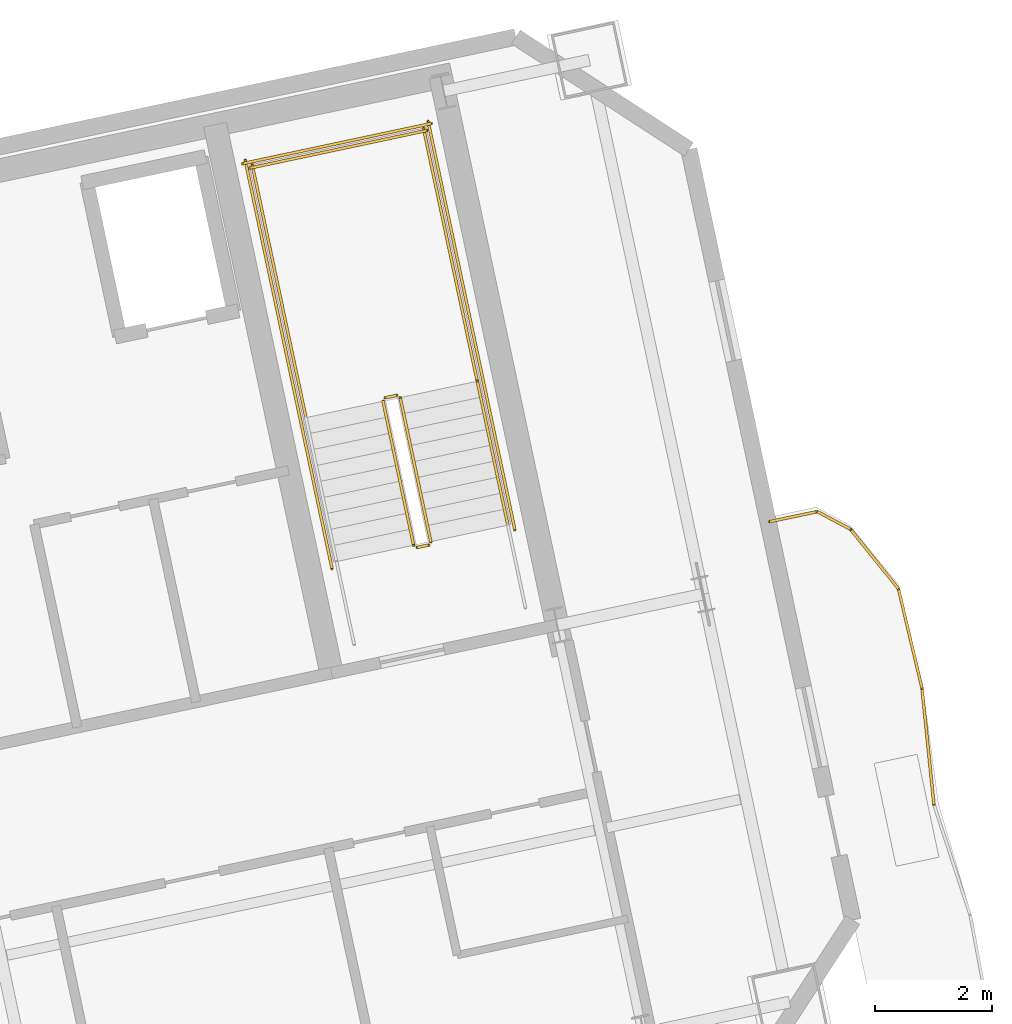
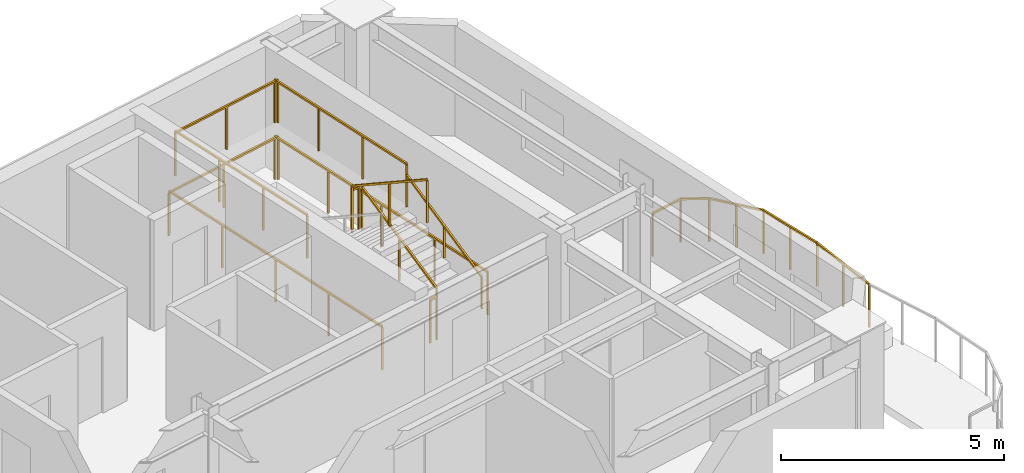
# One storey, part 14 of 14: 16 railings.
"""IFC4 building model written with IfcOpenShell, lengths in metres."""

from ifc_helpers import new_model, si_unit, direction, frame, origin, origin_2d, place, context, subcontext, project, spatial, rectangle, extrude, material, type_object, element, save


model = new_model("IFC4")

# Units and contexts
model_context = context("Model", 3, precision=1e-05, world=origin(), true_north=direction((0.0, 1.0)))
body_context = subcontext(model_context, "Body", "Model", "MODEL_VIEW")
ifc_project = project(units=[si_unit("LENGTHUNIT", "METRE"), si_unit("AREAUNIT", "SQUARE_METRE"), si_unit("VOLUMEUNIT", "CUBIC_METRE"), si_unit("PLANEANGLEUNIT", "RADIAN"), si_unit("MASSUNIT", "GRAM", prefix="KILO")], contexts=[model_context])

# Site, building, storey
site_placement = place(None, origin())
site = spatial("IfcSite", under=ifc_project, at=site_placement, CompositionType="ELEMENT")
building_placement = place(site_placement, origin())
building = spatial("IfcBuilding", under=site, at=building_placement, Name="Haevon Station Towers", CompositionType="ELEMENT")
storey_placement = place(building_placement, frame((0.0, 0.0, 231.89990234375)))
storey = spatial("IfcBuildingStorey", under=building, at=storey_placement, Name="L64", CompositionType="ELEMENT", Elevation=231.89990234375)

# Railings
ifc_material = material(Name="Steel S355", Category="steel")
railing_type_1 = type_object("IfcRailingType", Name="GRD-EXT1200", PredefinedType="GUARDRAIL", material=ifc_material)
railing_1_placement = place(storey_placement, frame((125.744140625, 38.737548828125, 0.0)))
element("IfcRailing", 1, at=railing_1_placement, inside=storey, type_object=railing_type_1, Name="L64 Perimeter Guardrail 6", PredefinedType="GUARDRAIL", context=body_context, shape_type="SweptSolid", body=[
    extrude(rectangle(XDim=0.048095703125, YDim=0.048095703125, at=origin_2d()), frame((0.0, 0.0, 1.17578125), z_axis=(-0.101796856362, 0.994805207081, 0.0), x_axis=(-0.994805207081, -0.101796856362, 0.0)), (0.0, 0.0, 1.0), 2.002685546875),
    extrude(rectangle(XDim=0.0419921875, YDim=0.0419921875, at=origin_2d()), origin(), (0.0, 0.0, 1.0), 1.15185546875),
    extrude(rectangle(XDim=0.0419921875, YDim=0.0419921875, at=origin_2d()), frame((-0.10205078125, 0.99609375, 0.0)), (0.0, 0.0, 1.0), 1.15185546875),
    extrude(rectangle(XDim=0.0419921875, YDim=0.0419921875, at=origin_2d()), frame((-0.203857421875, 1.9921875, 0.0)), (0.0, 0.0, 1.0), 1.15185546875),
])
railing_2_placement = place(storey_placement, frame((125.540283203125, 40.729736328125, 0.0)))
element("IfcRailing", 2, at=railing_2_placement, inside=storey, type_object=railing_type_1, Name="L64 Perimeter Guardrail 7", PredefinedType="GUARDRAIL", context=body_context, shape_type="SweptSolid", body=[
    extrude(rectangle(XDim=0.048095703125, YDim=0.048095703125, at=origin_2d()), frame((0.0, 0.0, 1.17578125), z_axis=(-0.230727231711, 0.973018470815, 0.0), x_axis=(-0.973018470815, -0.230727231711, 0.0)), (0.0, 0.0, 1.0), 1.7490234375),
    extrude(rectangle(XDim=0.0419921875, YDim=0.0419921875, at=origin_2d()), origin(), (0.0, 0.0, 1.0), 1.15185546875),
    extrude(rectangle(XDim=0.0419921875, YDim=0.0419921875, at=origin_2d()), frame((-0.20166015625, 0.85107421875, 0.0)), (0.0, 0.0, 1.0), 1.15185546875),
    extrude(rectangle(XDim=0.0419921875, YDim=0.0419921875, at=origin_2d()), frame((-0.403564453125, 1.701904296875, 0.0)), (0.0, 0.0, 1.0), 1.15185546875),
])
railing_3_placement = place(storey_placement, frame((125.13671875, 42.431640625, 0.0)))
element("IfcRailing", 3, at=railing_3_placement, inside=storey, type_object=railing_type_1, Name="L64 Perimeter Guardrail 8", PredefinedType="GUARDRAIL", context=body_context, shape_type="SweptSolid", body=[
    extrude(rectangle(XDim=0.048095703125, YDim=0.048095703125, at=origin_2d()), frame((0.0, 0.0, 1.17578125), z_axis=(-0.62786890768, 0.778319108572, 0.0), x_axis=(-0.778319108572, -0.62786890768, 0.0)), (0.0, 0.0, 1.0), 1.311279296875),
    extrude(rectangle(XDim=0.0419921875, YDim=0.0419921875, at=origin_2d()), origin(), (0.0, 0.0, 1.0), 1.15185546875),
    extrude(rectangle(XDim=0.0419921875, YDim=0.0419921875, at=origin_2d()), frame((-0.41162109375, 0.51025390625, 0.0)), (0.0, 0.0, 1.0), 1.15185546875),
    extrude(rectangle(XDim=0.0419921875, YDim=0.0419921875, at=origin_2d()), frame((-0.8232421875, 1.0205078125, 0.0)), (0.0, 0.0, 1.0), 1.15185546875),
])
railing_4_placement = place(storey_placement, frame((124.3134765625, 43.4521484375, 0.0)))
element("IfcRailing", 4, at=railing_4_placement, inside=storey, type_object=railing_type_1, Name="L64 Perimeter Guardrail 9", PredefinedType="GUARDRAIL", context=body_context, shape_type="SweptSolid", body=[
    extrude(rectangle(XDim=0.048095703125, YDim=0.048095703125, at=origin_2d()), frame((0.0, 0.0, 1.17578125), z_axis=(-0.883174960407, 0.469043696589, 0.0), x_axis=(-0.469043696589, -0.883174960407, 0.0)), (0.0, 0.0, 1.0), 0.64013671875),
    extrude(rectangle(XDim=0.0419921875, YDim=0.0419921875, at=origin_2d()), origin(), (0.0, 0.0, 1.0), 1.15185546875),
    extrude(rectangle(XDim=0.0419921875, YDim=0.0419921875, at=origin_2d()), frame((-0.5654296875, 0.30029296875, 0.0)), (0.0, 0.0, 1.0), 1.15185546875),
])
railing_5_placement = place(storey_placement, frame((123.748046875, 43.75244140625, 0.0)))
element("IfcRailing", 5, at=railing_5_placement, inside=storey, type_object=railing_type_1, Name="L64 Perimeter Guardrail 10", PredefinedType="GUARDRAIL", context=body_context, shape_type="SweptSolid", body=[
    extrude(rectangle(XDim=0.048095703125, YDim=0.048095703125, at=origin_2d()), frame((0.0, 0.0, 1.17578125), z_axis=(-0.978605406054, -0.205746103834, 0.0), x_axis=(0.205746103834, -0.978605406054, 0.0)), (0.0, 0.0, 1.0), 0.837646484375),
    extrude(rectangle(XDim=0.0419921875, YDim=0.0419921875, at=origin_2d()), origin(), (0.0, 0.0, 1.0), 1.15185546875),
    extrude(rectangle(XDim=0.0419921875, YDim=0.0419921875, at=origin_2d()), frame((-0.81982421875, -0.17236328125, 0.0)), (0.0, 0.0, 1.0), 1.15185546875),
])
railing_type_2 = type_object("IfcRailingType", Name="GRD-STR1200", PredefinedType="GUARDRAIL", material=ifc_material)
railing_6_placement = place(storey_placement, frame((117.128662109375, 43.23974609375, 0.1650390625)))
element("IfcRailing", 6, at=railing_6_placement, inside=storey, type_object=railing_type_2, Name="L64 ST4 Stair Guard 1", PredefinedType="GUARDRAIL", context=body_context, shape_type="SweptSolid", body=[
    extrude(rectangle(XDim=0.048095703125, YDim=0.048095703125, at=origin_2d()), frame((0.0, 0.0, 1.17578125), z_axis=(-0.179121265225, 0.842687928106, 0.507732831485), x_axis=(-0.978147030254, -0.207914374695, 0.0)), (0.0, 0.0, 1.0), 2.925048828125),
    extrude(rectangle(XDim=0.0419921875, YDim=0.0419921875, at=origin_2d()), origin(), (0.0, 0.0, 1.0), 1.15185546875),
    extrude(rectangle(XDim=0.0419921875, YDim=0.0419921875, at=origin_2d()), frame((-0.261962890625, 1.232421875, 0.74267578125)), (0.0, 0.0, 1.0), 1.15185546875),
    extrude(rectangle(XDim=0.0419921875, YDim=0.0419921875, at=origin_2d()), frame((-0.52392578125, 2.46484375, 1.485107421875)), (0.0, 0.0, 1.0), 1.15185546875),
])
railing_7_placement = place(storey_placement, frame((116.54541015625, 45.7431640625, 1.650146484375)))
element("IfcRailing", 7, at=railing_7_placement, inside=storey, type_object=railing_type_2, Name="L64 ST4 Stair Guard 2", PredefinedType="GUARDRAIL", context=body_context, shape_type="SweptSolid", body=[
    extrude(rectangle(XDim=0.048095703125, YDim=0.048095703125, at=origin_2d()), frame((0.0, 0.0, 1.17578125), z_axis=(-0.97826412705, -0.207362720198, 0.0), x_axis=(0.207362720198, -0.97826412705, 0.0)), (0.0, 0.0, 1.0), 0.2001953125),
    extrude(rectangle(XDim=0.0419921875, YDim=0.0419921875, at=origin_2d()), origin(), (0.0, 0.0, 1.0), 1.15185546875),
    extrude(rectangle(XDim=0.0419921875, YDim=0.0419921875, at=origin_2d()), frame((-0.19580078125, -0.04150390625, 0.0)), (0.0, 0.0, 1.0), 1.15185546875),
])
railing_8_placement = place(storey_placement, frame((117.925048828125, 45.9853515625, 1.650146484375)))
element("IfcRailing", 8, at=railing_8_placement, inside=storey, type_object=railing_type_2, Name="L64 ST4 Stair Guard 3", PredefinedType="GUARDRAIL", context=body_context, shape_type="SweptSolid", body=[
    extrude(rectangle(XDim=0.048095703125, YDim=0.048095703125, at=origin_2d()), frame((0.0, 0.0, 1.17578125), z_axis=(-0.207876551949, 0.978155069071, 0.0), x_axis=(-0.978155069071, -0.207876551949, 0.0)), (0.0, 0.0, 1.0), 4.429931640625),
    extrude(rectangle(XDim=0.0419921875, YDim=0.0419921875, at=origin_2d()), origin(), (0.0, 0.0, 1.0), 1.15185546875),
    extrude(rectangle(XDim=0.0419921875, YDim=0.0419921875, at=origin_2d()), frame((-0.306884765625, 1.4443359375, 0.0)), (0.0, 0.0, 1.0), 1.15185546875),
    extrude(rectangle(XDim=0.0419921875, YDim=0.0419921875, at=origin_2d()), frame((-0.614013671875, 2.888916015625, 0.0)), (0.0, 0.0, 1.0), 1.15185546875),
    extrude(rectangle(XDim=0.0419921875, YDim=0.0419921875, at=origin_2d()), frame((-0.9208984375, 4.333251953125, 0.0)), (0.0, 0.0, 1.0), 1.15185546875),
])
railing_9_placement = place(storey_placement, frame((114.99072265625, 45.361572265625, 1.650146484375)))
element("IfcRailing", 9, at=railing_9_placement, inside=storey, type_object=railing_type_2, Name="L64 ST4 Stair Guard 4", PredefinedType="GUARDRAIL", context=body_context, shape_type="SweptSolid", body=[
    extrude(rectangle(XDim=0.048095703125, YDim=0.048095703125, at=origin_2d()), frame((0.0, 0.0, 1.17578125), z_axis=(-0.207929280007, 0.978143861871, 0.0), x_axis=(-0.978143861871, -0.207929280007, 0.0)), (0.0, 0.0, 1.0), 4.43017578125),
    extrude(rectangle(XDim=0.0419921875, YDim=0.0419921875, at=origin_2d()), origin(), (0.0, 0.0, 1.0), 1.15185546875),
    extrude(rectangle(XDim=0.0419921875, YDim=0.0419921875, at=origin_2d()), frame((-0.30712890625, 1.4443359375, 0.0)), (0.0, 0.0, 1.0), 1.15185546875),
    extrude(rectangle(XDim=0.0419921875, YDim=0.0419921875, at=origin_2d()), frame((-0.614013671875, 2.888916015625, 0.0)), (0.0, 0.0, 1.0), 1.15185546875),
    extrude(rectangle(XDim=0.0419921875, YDim=0.0419921875, at=origin_2d()), frame((-0.921142578125, 4.333251953125, 0.0)), (0.0, 0.0, 1.0), 1.15185546875),
])
railing_10_placement = place(storey_placement, frame((117.0634765625, 50.280029296875, 1.650146484375)))
element("IfcRailing", 10, at=railing_10_placement, inside=storey, type_object=railing_type_2, Name="L64 ST4 Stair Guard 5", PredefinedType="GUARDRAIL", context=body_context, shape_type="SweptSolid", body=[
    extrude(rectangle(XDim=0.048095703125, YDim=0.048095703125, at=origin_2d()), frame((0.0, 0.0, 1.17578125), z_axis=(-0.978146839882, -0.207915270313, 0.0), x_axis=(0.207915270313, -0.978146839882, 0.0)), (0.0, 0.0, 1.0), 3.099853515625),
    extrude(rectangle(XDim=0.0419921875, YDim=0.0419921875, at=origin_2d()), origin(), (0.0, 0.0, 1.0), 1.15185546875),
    extrude(rectangle(XDim=0.0419921875, YDim=0.0419921875, at=origin_2d()), frame((-1.51611328125, -0.322265625, 0.0)), (0.0, 0.0, 1.0), 1.15185546875),
    extrude(rectangle(XDim=0.0419921875, YDim=0.0419921875, at=origin_2d()), frame((-3.0322265625, -0.64453125, 0.0)), (0.0, 0.0, 1.0), 1.15185546875),
])
railing_11_placement = place(storey_placement, frame((116.311279296875, 45.642333984375, 1.815185546875)))
element("IfcRailing", 11, at=railing_11_placement, inside=storey, type_object=railing_type_2, Name="L64 ST4 Stair Guard 6", PredefinedType="GUARDRAIL", context=body_context, shape_type="SweptSolid", body=[
    extrude(rectangle(XDim=0.048095703125, YDim=0.048095703125, at=origin_2d()), frame((0.0, 0.0, 1.17578125), z_axis=(0.179116256339, -0.842747828638, 0.507635168246), x_axis=(0.978151217824, 0.207894673017, 0.0)), (0.0, 0.0, 1.0), 2.925048828125),
    extrude(rectangle(XDim=0.0419921875, YDim=0.0419921875, at=origin_2d()), origin(), (0.0, 0.0, 1.0), 1.15185546875),
    extrude(rectangle(XDim=0.0419921875, YDim=0.0419921875, at=origin_2d()), frame((0.261962890625, -1.232421875, 0.742431640625)), (0.0, 0.0, 1.0), 1.15185546875),
    extrude(rectangle(XDim=0.0419921875, YDim=0.0419921875, at=origin_2d()), frame((0.52392578125, -2.465087890625, 1.48486328125)), (0.0, 0.0, 1.0), 1.15185546875),
])
railing_12_placement = place(storey_placement, frame((117.090087890625, 43.180419921875, 0.0)))
element("IfcRailing", 12, at=railing_12_placement, inside=storey, type_object=railing_type_2, Name="L64 ST4 Stair Guard 7", PredefinedType="GUARDRAIL", context=body_context, shape_type="SweptSolid", body=[
    extrude(rectangle(XDim=0.048095703125, YDim=0.048095703125, at=origin_2d()), frame((0.0, 0.0, 1.17578125), z_axis=(-0.978211583308, -0.207610448392, 0.0), x_axis=(0.207610448392, -0.978211583308, 0.0)), (0.0, 0.0, 1.0), 0.199951171875),
    extrude(rectangle(XDim=0.0419921875, YDim=0.0419921875, at=origin_2d()), origin(), (0.0, 0.0, 1.0), 1.15185546875),
    extrude(rectangle(XDim=0.0419921875, YDim=0.0419921875, at=origin_2d()), frame((-0.195556640625, -0.04150390625, 0.0)), (0.0, 0.0, 1.0), 1.15185546875),
])
railing_13_placement = place(storey_placement, frame((118.567626953125, 43.443359375, 0.0)))
element("IfcRailing", 13, at=railing_13_placement, inside=storey, type_object=railing_type_2, Name="L64 ST4 Stair Guard 10", PredefinedType="GUARDRAIL", context=body_context, shape_type="SweptSolid", body=[
    extrude(rectangle(XDim=0.048095703125, YDim=0.048095703125, at=origin_2d()), frame((0.0, 0.0, 1.17578125), z_axis=(-0.207908168386, 0.978148349443, 0.0), x_axis=(-0.978148349443, -0.207908168386, 0.0)), (0.0, 0.0, 1.0), 7.150146484375),
    extrude(rectangle(XDim=0.0419921875, YDim=0.0419921875, at=origin_2d()), origin(), (0.0, 0.0, 1.0), 1.15185546875),
    extrude(rectangle(XDim=0.0419921875, YDim=0.0419921875, at=origin_2d()), frame((-0.37158203125, 1.74853515625, 0.0)), (0.0, 0.0, 1.0), 1.15185546875),
    extrude(rectangle(XDim=0.0419921875, YDim=0.0419921875, at=origin_2d()), frame((-0.7431640625, 3.4970703125, 0.0)), (0.0, 0.0, 1.0), 1.15185546875),
    extrude(rectangle(XDim=0.0419921875, YDim=0.0419921875, at=origin_2d()), frame((-1.114990234375, 5.245361328125, 0.0)), (0.0, 0.0, 1.0), 1.15185546875),
    extrude(rectangle(XDim=0.0419921875, YDim=0.0419921875, at=origin_2d()), frame((-1.486572265625, 6.993896484375, 0.0)), (0.0, 0.0, 1.0), 1.15185546875),
])
railing_14_placement = place(storey_placement, frame((115.4375, 42.778076171875, 0.0)))
element("IfcRailing", 14, at=railing_14_placement, inside=storey, type_object=railing_type_2, Name="L64 ST4 Stair Guard 11", PredefinedType="GUARDRAIL", context=body_context, shape_type="SweptSolid", body=[
    extrude(rectangle(XDim=0.048095703125, YDim=0.048095703125, at=origin_2d()), frame((0.0, 0.0, 1.17578125), z_axis=(-0.207882442208, 0.978153817261, 0.0), x_axis=(-0.978153817261, -0.207882442208, 0.0)), (0.0, 0.0, 1.0), 7.14990234375),
    extrude(rectangle(XDim=0.0419921875, YDim=0.0419921875, at=origin_2d()), origin(), (0.0, 0.0, 1.0), 1.15185546875),
    extrude(rectangle(XDim=0.0419921875, YDim=0.0419921875, at=origin_2d()), frame((-0.37158203125, 1.74853515625, 0.0)), (0.0, 0.0, 1.0), 1.15185546875),
    extrude(rectangle(XDim=0.0419921875, YDim=0.0419921875, at=origin_2d()), frame((-0.7431640625, 3.496826171875, 0.0)), (0.0, 0.0, 1.0), 1.15185546875),
    extrude(rectangle(XDim=0.0419921875, YDim=0.0419921875, at=origin_2d()), frame((-1.11474609375, 5.2451171875, 0.0)), (0.0, 0.0, 1.0), 1.15185546875),
    extrude(rectangle(XDim=0.0419921875, YDim=0.0419921875, at=origin_2d()), frame((-1.486328125, 6.99365234375, 0.0)), (0.0, 0.0, 1.0), 1.15185546875),
])
railing_15_placement = place(storey_placement, frame((117.140380859375, 50.398681640625, 0.0)))
element("IfcRailing", 15, at=railing_15_placement, inside=storey, type_object=railing_type_2, Name="L64 ST4 Stair Guard 12", PredefinedType="GUARDRAIL", context=body_context, shape_type="SweptSolid", body=[
    extrude(rectangle(XDim=0.048095703125, YDim=0.048095703125, at=origin_2d()), frame((0.0, 0.0, 1.17578125), z_axis=(-0.978135717418, -0.207967589567, 0.0), x_axis=(0.207967589567, -0.978135717418, 0.0)), (0.0, 0.0, 1.0), 3.300048828125),
    extrude(rectangle(XDim=0.0419921875, YDim=0.0419921875, at=origin_2d()), origin(), (0.0, 0.0, 1.0), 1.15185546875),
    extrude(rectangle(XDim=0.0419921875, YDim=0.0419921875, at=origin_2d()), frame((-1.61376953125, -0.34326171875, 0.0)), (0.0, 0.0, 1.0), 1.15185546875),
    extrude(rectangle(XDim=0.0419921875, YDim=0.0419921875, at=origin_2d()), frame((-3.227783203125, -0.686279296875, 0.0)), (0.0, 0.0, 1.0), 1.15185546875),
])
railing_type_3 = type_object("IfcRailingType", Name="HND-STR900", PredefinedType="HANDRAIL", material=ifc_material)
railing_16_placement = place(storey_placement, frame((118.448974609375, 43.5205078125, 0.1650390625)))
element("IfcRailing", 16, at=railing_16_placement, inside=storey, type_object=railing_type_3, Name="L64 ST4 Stair Handrail 1", PredefinedType="HANDRAIL", context=body_context, shape_type="SweptSolid", body=[
    extrude(rectangle(XDim=0.048095703125, YDim=0.048095703125, at=origin_2d()), frame((0.0, 0.0, 0.8759765625), z_axis=(-0.179121265225, 0.842687928106, 0.507732831485), x_axis=(-0.978147030254, -0.207914374695, 0.0)), (0.0, 0.0, 1.0), 2.925048828125),
    extrude(rectangle(XDim=0.0419921875, YDim=0.0419921875, at=origin_2d()), origin(), (0.0, 0.0, 1.0), 0.851806640625),
    extrude(rectangle(XDim=0.0419921875, YDim=0.0419921875, at=origin_2d()), frame((-0.261962890625, 1.232421875, 0.74267578125)), (0.0, 0.0, 1.0), 0.851806640625),
    extrude(rectangle(XDim=0.0419921875, YDim=0.0419921875, at=origin_2d()), frame((-0.52392578125, 2.46484375, 1.485107421875)), (0.0, 0.0, 1.0), 0.851806640625),
])

save(model, "model.ifc")
